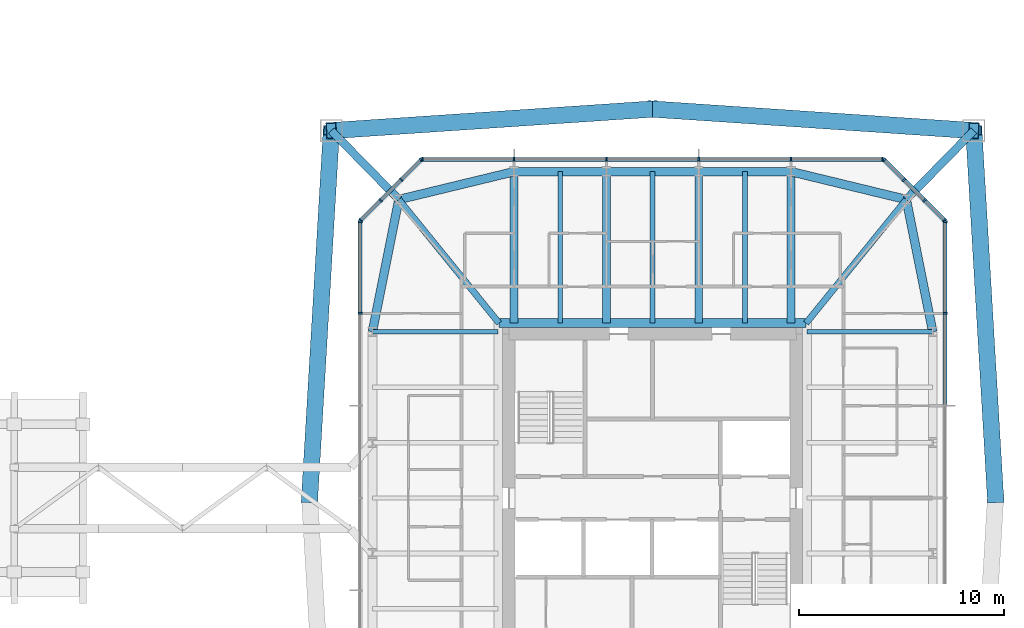
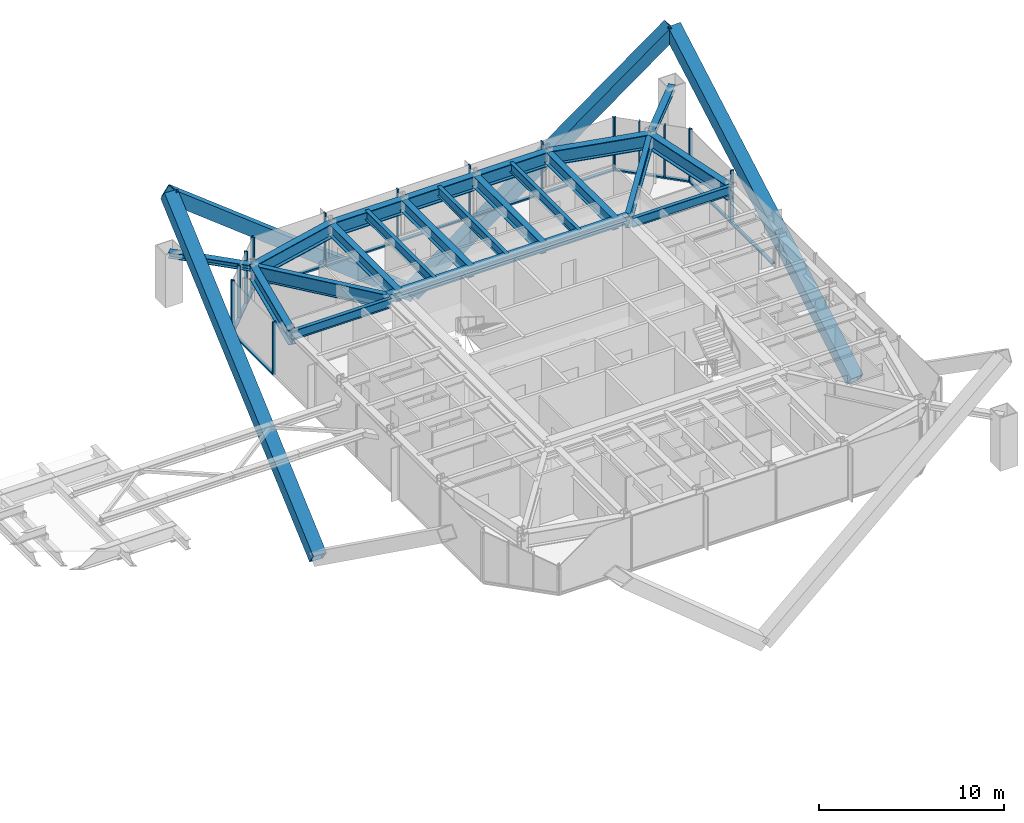
# One storey, part 11 of 27: 38 members, 19 beams, 5 elements without a shape of their own.
"""IFC4 building model written with IfcOpenShell, lengths in metres."""

from ifc_helpers import new_model, si_unit, direction, frame, origin, origin_2d, place, context, subcontext, project, spatial, rectangle, hollow_rectangle, i_section, extrude, material, material_profile, profile_set, type_object, element, aggregate, save


model = new_model("IFC4")

# Units and contexts
model_context = context("Model", 3, precision=1e-05, world=origin(), true_north=direction((0.0, 1.0)))
body_context = subcontext(model_context, "Body", "Model", "MODEL_VIEW")
ifc_project = project(units=[si_unit("LENGTHUNIT", "METRE"), si_unit("AREAUNIT", "SQUARE_METRE"), si_unit("VOLUMEUNIT", "CUBIC_METRE"), si_unit("PLANEANGLEUNIT", "RADIAN"), si_unit("MASSUNIT", "GRAM", prefix="KILO")], contexts=[model_context])

# Site, building, storey
site_placement = place(None, origin())
site = spatial("IfcSite", under=ifc_project, at=site_placement, CompositionType="ELEMENT")
building_placement = place(site_placement, origin())
building = spatial("IfcBuilding", under=site, at=building_placement, Name="Iwan Alto Co-Living Towers", CompositionType="ELEMENT")
storey_placement = place(building_placement, frame((0.0, 0.0, 94.5)))
storey = spatial("IfcBuildingStorey", under=building, at=storey_placement, Name="L25", CompositionType="ELEMENT", Elevation=94.5)

# Curtain wall, members
ifc_material_1 = material(Name="Bronze aluminium unitised frame", Category="aluminium")
curtain_wall_type_1 = type_object("IfcCurtainWallType", Name="CURTAIN WALL CW-C", PredefinedType="NOTDEFINED", material=ifc_material_1)
curtain_wall_1_placement = place(storey_placement, origin())
curtain_wall_1 = element("IfcCurtainWall", 1, at=curtain_wall_1_placement, inside=storey, type_object=curtain_wall_type_1, Name="T2 curtain wall E L25", PredefinedType="NOTDEFINED")
ifc_material_2 = material(Name="Aluminium 6063-T6 bronze anodised", Category="aluminium")
ifc_material_profile_1 = material_profile(ifc_material_2, rectangle(XDim=0.199951171875, YDim=0.080078125, at=origin_2d()), Name="AL 80X200")
ifc_profile_set_1 = profile_set([ifc_material_profile_1], Name="Aluminium 6063-T6 bronze anodised")
member_type_1 = type_object("IfcMemberType", Name="CW-C MULLION 80X200", PredefinedType="MULLION", material=ifc_profile_set_1)
member_1_placement = place(storey_placement, frame((77.25, 9.0, 0.0), z_axis=(0.0, 0.0, 1.0), x_axis=(-1.0, 0.0, 0.0)))
member_1 = element("IfcMember", 2, at=member_1_placement, type_object=member_type_1, Name="CW-C mullion 6", PredefinedType="MULLION", context=body_context, shape_type="SweptSolid", body=[
    extrude(rectangle(XDim=0.199951171875, YDim=0.080078125, at=origin_2d()), origin(), (0.0, 0.0, 1.0), 3.5),
])
member_2_placement = place(storey_placement, frame((77.25, 13.4599609375, 0.0), z_axis=(0.0, 0.0, 1.0), x_axis=(-1.0, 0.0, 0.0)))
member_2 = element("IfcMember", 3, at=member_2_placement, type_object=member_type_1, Name="CW-C mullion 7", PredefinedType="MULLION", context=body_context, shape_type="SweptSolid", body=[
    extrude(rectangle(XDim=0.199951171875, YDim=0.080078125, at=origin_2d()), origin(), (0.0, 0.0, 1.0), 3.5),
])

curtain_wall_2_placement = place(storey_placement, origin())
curtain_wall_2 = element("IfcCurtainWall", 4, at=curtain_wall_2_placement, inside=storey, type_object=curtain_wall_type_1, Name="T2 curtain wall N L25", PredefinedType="NOTDEFINED")
member_3_placement = place(storey_placement, frame((74.2099609375, 16.5, 0.0), z_axis=(0.0, 0.0, 1.0), x_axis=(0.0, -1.0, 0.0)))
member_3 = element("IfcMember", 5, at=member_3_placement, type_object=member_type_1, Name="CW-C mullion 1", PredefinedType="MULLION", context=body_context, shape_type="SweptSolid", body=[
    extrude(rectangle(XDim=0.199951171875, YDim=0.080078125, at=origin_2d()), origin(), (0.0, 0.0, 1.0), 3.5),
])
member_4_placement = place(storey_placement, frame((69.75, 16.5, 0.0), z_axis=(0.0, 0.0, 1.0), x_axis=(0.0, -1.0, 0.0)))
member_4 = element("IfcMember", 6, at=member_4_placement, type_object=member_type_1, Name="CW-C mullion 2", PredefinedType="MULLION", context=body_context, shape_type="SweptSolid", body=[
    extrude(rectangle(XDim=0.199951171875, YDim=0.080078125, at=origin_2d()), origin(), (0.0, 0.0, 1.0), 3.5),
])
member_5_placement = place(storey_placement, frame((65.25, 16.5, 0.0), z_axis=(0.0, 0.0, 1.0), x_axis=(0.0, -1.0, 0.0)))
member_5 = element("IfcMember", 7, at=member_5_placement, type_object=member_type_1, Name="CW-C mullion 3", PredefinedType="MULLION", context=body_context, shape_type="SweptSolid", body=[
    extrude(rectangle(XDim=0.199951171875, YDim=0.080078125, at=origin_2d()), origin(), (0.0, 0.0, 1.0), 3.5),
])
member_6_placement = place(storey_placement, frame((60.75, 16.5, 0.0), z_axis=(0.0, 0.0, 1.0), x_axis=(0.0, -1.0, 0.0)))
member_6 = element("IfcMember", 8, at=member_6_placement, type_object=member_type_1, Name="CW-C mullion 4", PredefinedType="MULLION", context=body_context, shape_type="SweptSolid", body=[
    extrude(rectangle(XDim=0.199951171875, YDim=0.080078125, at=origin_2d()), origin(), (0.0, 0.0, 1.0), 3.5),
])
member_7_placement = place(storey_placement, frame((56.25, 16.5, 0.0), z_axis=(0.0, 0.0, 1.0), x_axis=(0.0, -1.0, 0.0)))
member_7 = element("IfcMember", 9, at=member_7_placement, type_object=member_type_1, Name="CW-C mullion 5", PredefinedType="MULLION", context=body_context, shape_type="SweptSolid", body=[
    extrude(rectangle(XDim=0.199951171875, YDim=0.080078125, at=origin_2d()), origin(), (0.0, 0.0, 1.0), 3.5),
])
member_8_placement = place(storey_placement, frame((51.7900390625, 16.5, 0.0), z_axis=(0.0, 0.0, 1.0), x_axis=(0.0, -1.0, 0.0)))
member_8 = element("IfcMember", 10, at=member_8_placement, type_object=member_type_1, Name="CW-C mullion 6", PredefinedType="MULLION", context=body_context, shape_type="SweptSolid", body=[
    extrude(rectangle(XDim=0.199951171875, YDim=0.080078125, at=origin_2d()), origin(), (0.0, 0.0, 1.0), 3.5),
])

curtain_wall_3_placement = place(storey_placement, origin())
curtain_wall_3 = element("IfcCurtainWall", 11, at=curtain_wall_3_placement, inside=storey, type_object=curtain_wall_type_1, Name="T2 curtain wall W L25", PredefinedType="NOTDEFINED")
member_9_placement = place(storey_placement, frame((48.75, 13.4599609375, 0.0), z_axis=(0.0, 0.0, 1.0), x_axis=(1.0, 0.0, 0.0)))
member_9 = element("IfcMember", 12, at=member_9_placement, type_object=member_type_1, Name="CW-C mullion 1", PredefinedType="MULLION", context=body_context, shape_type="SweptSolid", body=[
    extrude(rectangle(XDim=0.199951171875, YDim=0.080078125, at=origin_2d()), origin(), (0.0, 0.0, 1.0), 3.5),
])
member_10_placement = place(storey_placement, frame((48.75, 9.0, 0.0), z_axis=(0.0, 0.0, 1.0), x_axis=(1.0, 0.0, 0.0)))
member_10 = element("IfcMember", 13, at=member_10_placement, type_object=member_type_1, Name="CW-C mullion 2", PredefinedType="MULLION", context=body_context, shape_type="SweptSolid", body=[
    extrude(rectangle(XDim=0.199951171875, YDim=0.080078125, at=origin_2d()), origin(), (0.0, 0.0, 1.0), 3.5),
])

# Member
ifc_material_3 = material(Name="Aluminium 6063-T6 bronze anodised", Category="aluminium")
ifc_material_profile_2 = material_profile(ifc_material_3, rectangle(XDim=0.199951171875, YDim=0.10009765625, at=origin_2d()), Name="AL 200X100")
ifc_profile_set_2 = profile_set([ifc_material_profile_2], Name="Aluminium 6063-T6 bronze anodised")
member_type_2 = type_object("IfcMemberType", Name="CW-C TRANSOM 200X100", PredefinedType="USERDEFINED", material=ifc_profile_set_2)
member_11_placement = place(storey_placement, frame((77.25, 4.5400390625, 0.050048828125), z_axis=(0.0, 1.0, 0.0), x_axis=(-1.0, 0.0, 0.0)))
member_11 = element("IfcMember", 14, at=member_11_placement, type_object=member_type_2, Name="CW-C transom 5.1", ObjectType="TRANSOM", PredefinedType="USERDEFINED", context=body_context, shape_type="SweptSolid", body=[
    extrude(rectangle(XDim=0.199951171875, YDim=0.10009765625, at=origin_2d()), origin(), (0.0, 0.0, 1.0), 4.419921875),
])

member_12_placement = place(storey_placement, frame((77.25, 9.0400390625, 0.050048828125), z_axis=(0.0, 1.0, 0.0), x_axis=(-1.0, 0.0, 0.0)))
member_12 = element("IfcMember", 15, at=member_12_placement, type_object=member_type_2, Name="CW-C transom 6.1", ObjectType="TRANSOM", PredefinedType="USERDEFINED", context=body_context, shape_type="SweptSolid", body=[
    extrude(rectangle(XDim=0.199951171875, YDim=0.10009765625, at=origin_2d()), origin(), (0.0, 0.0, 1.0), 4.3798828125),
])

aggregate(curtain_wall_1, [member_1, member_2, member_11, member_12])

member_13_placement = place(storey_placement, frame((74.169921875, 16.5, 0.050048828125), z_axis=(-1.0, 0.0, 0.0), x_axis=(0.0, -1.0, 0.0)))
member_13 = element("IfcMember", 16, at=member_13_placement, type_object=member_type_2, Name="CW-C transom 1.1", ObjectType="TRANSOM", PredefinedType="USERDEFINED", context=body_context, shape_type="SweptSolid", body=[
    extrude(rectangle(XDim=0.199951171875, YDim=0.10009765625, at=origin_2d()), origin(), (0.0, 0.0, 1.0), 4.3798828125),
])

member_14_placement = place(storey_placement, frame((69.7099609375, 16.5, 0.050048828125), z_axis=(-1.0, 0.0, 0.0), x_axis=(0.0, -1.0, 0.0)))
member_14 = element("IfcMember", 17, at=member_14_placement, type_object=member_type_2, Name="CW-C transom 2.1", ObjectType="TRANSOM", PredefinedType="USERDEFINED", context=body_context, shape_type="SweptSolid", body=[
    extrude(rectangle(XDim=0.199951171875, YDim=0.10009765625, at=origin_2d()), origin(), (0.0, 0.0, 1.0), 4.419921875),
])

member_15_placement = place(storey_placement, frame((65.2099609375, 16.5, 0.050048828125), z_axis=(-1.0, 0.0, 0.0), x_axis=(0.0, -1.0, 0.0)))
member_15 = element("IfcMember", 18, at=member_15_placement, type_object=member_type_2, Name="CW-C transom 3.1", ObjectType="TRANSOM", PredefinedType="USERDEFINED", context=body_context, shape_type="SweptSolid", body=[
    extrude(rectangle(XDim=0.199951171875, YDim=0.10009765625, at=origin_2d()), origin(), (0.0, 0.0, 1.0), 4.419921875),
])

member_16_placement = place(storey_placement, frame((60.7099609375, 16.5, 0.050048828125), z_axis=(-1.0, 0.0, 0.0), x_axis=(0.0, -1.0, 0.0)))
member_16 = element("IfcMember", 19, at=member_16_placement, type_object=member_type_2, Name="CW-C transom 4.1", ObjectType="TRANSOM", PredefinedType="USERDEFINED", context=body_context, shape_type="SweptSolid", body=[
    extrude(rectangle(XDim=0.199951171875, YDim=0.10009765625, at=origin_2d()), origin(), (0.0, 0.0, 1.0), 4.419921875),
])

member_17_placement = place(storey_placement, frame((56.2099609375, 16.5, 0.050048828125), z_axis=(-1.0, 0.0, 0.0), x_axis=(0.0, -1.0, 0.0)))
member_17 = element("IfcMember", 20, at=member_17_placement, type_object=member_type_2, Name="CW-C transom 5.1", ObjectType="TRANSOM", PredefinedType="USERDEFINED", context=body_context, shape_type="SweptSolid", body=[
    extrude(rectangle(XDim=0.199951171875, YDim=0.10009765625, at=origin_2d()), origin(), (0.0, 0.0, 1.0), 4.3798828125),
])

aggregate(curtain_wall_2, [member_3, member_4, member_5, member_6, member_7, member_8, member_13, member_14, member_15, member_16, member_17])

member_18_placement = place(storey_placement, frame((48.75, 13.419921875, 0.050048828125), z_axis=(0.0, -1.0, 0.0), x_axis=(1.0, 0.0, 0.0)))
member_18 = element("IfcMember", 21, at=member_18_placement, type_object=member_type_2, Name="CW-C transom 1.1", ObjectType="TRANSOM", PredefinedType="USERDEFINED", context=body_context, shape_type="SweptSolid", body=[
    extrude(rectangle(XDim=0.199951171875, YDim=0.10009765625, at=origin_2d()), origin(), (0.0, 0.0, 1.0), 4.3798828125),
])

aggregate(curtain_wall_3, [member_9, member_10, member_18])

# Curtain wall, members
ifc_material_4 = material(Name="Bronze aluminium unitised frame", Category="aluminium")
curtain_wall_type_2 = type_object("IfcCurtainWallType", Name="CURTAIN WALL CW-D", PredefinedType="NOTDEFINED", material=ifc_material_4)
curtain_wall_4_placement = place(storey_placement, origin())
curtain_wall_4 = element("IfcCurtainWall", 22, at=curtain_wall_4_placement, inside=storey, type_object=curtain_wall_type_2, Name="T2 chamfer curtain wall NE L25", PredefinedType="NOTDEFINED")
ifc_material_5 = material(Name="Aluminium 6063-T6 bronze anodised", Category="aluminium")
ifc_material_profile_3 = material_profile(ifc_material_5, rectangle(XDim=0.199951171875, YDim=0.080078125, at=origin_2d()), Name="AL 80X200")
ifc_profile_set_3 = profile_set([ifc_material_profile_3], Name="Aluminium 6063-T6 bronze anodised")
member_type_3 = type_object("IfcMemberType", Name="CW-D MULLION 80X200", PredefinedType="MULLION", material=ifc_profile_set_3)
member_19_placement = place(storey_placement, frame((77.2216796875, 13.5283203125, 0.0), z_axis=(0.0, 0.0, 1.0), x_axis=(-0.707106781187, -0.707106781187, 0.0)))
member_19 = element("IfcMember", 23, at=member_19_placement, type_object=member_type_3, Name="CW-D mullion 1", PredefinedType="MULLION", context=body_context, shape_type="SweptSolid", body=[
    extrude(rectangle(XDim=0.199951171875, YDim=0.080078125, at=origin_2d()), origin(), (0.0, 0.0, 1.0), 3.5),
])
member_20_placement = place(storey_placement, frame((76.25, 14.5, 0.0), z_axis=(0.0, 0.0, 1.0), x_axis=(-0.707106781187, -0.707106781187, 0.0)))
member_20 = element("IfcMember", 24, at=member_20_placement, type_object=member_type_3, Name="CW-D mullion 2", PredefinedType="MULLION", context=body_context, shape_type="SweptSolid", body=[
    extrude(rectangle(XDim=0.199951171875, YDim=0.080078125, at=origin_2d()), origin(), (0.0, 0.0, 1.0), 3.5),
])
member_21_placement = place(storey_placement, frame((75.25, 15.5, 0.0), z_axis=(0.0, 0.0, 1.0), x_axis=(-0.707106781187, -0.707106781187, 0.0)))
member_21 = element("IfcMember", 25, at=member_21_placement, type_object=member_type_3, Name="CW-D mullion 3", PredefinedType="MULLION", context=body_context, shape_type="SweptSolid", body=[
    extrude(rectangle(XDim=0.199951171875, YDim=0.080078125, at=origin_2d()), origin(), (0.0, 0.0, 1.0), 3.5),
])
member_22_placement = place(storey_placement, frame((74.2783203125, 16.4716796875, 0.0), z_axis=(0.0, 0.0, 1.0), x_axis=(-0.707106781187, -0.707106781187, 0.0)))
member_22 = element("IfcMember", 26, at=member_22_placement, type_object=member_type_3, Name="CW-D mullion 4", PredefinedType="MULLION", context=body_context, shape_type="SweptSolid", body=[
    extrude(rectangle(XDim=0.199951171875, YDim=0.080078125, at=origin_2d()), origin(), (0.0, 0.0, 1.0), 3.5),
])

curtain_wall_5_placement = place(storey_placement, origin())
curtain_wall_5 = element("IfcCurtainWall", 27, at=curtain_wall_5_placement, inside=storey, type_object=curtain_wall_type_2, Name="T2 chamfer curtain wall NW L25", PredefinedType="NOTDEFINED")
member_23_placement = place(storey_placement, frame((51.7216796875, 16.4716796875, 0.0), z_axis=(0.0, 0.0, 1.0), x_axis=(0.707106781187, -0.707106781187, 0.0)))
member_23 = element("IfcMember", 28, at=member_23_placement, type_object=member_type_3, Name="CW-D mullion 1", PredefinedType="MULLION", context=body_context, shape_type="SweptSolid", body=[
    extrude(rectangle(XDim=0.199951171875, YDim=0.080078125, at=origin_2d()), origin(), (0.0, 0.0, 1.0), 3.5),
])
member_24_placement = place(storey_placement, frame((50.75, 15.5, 0.0), z_axis=(0.0, 0.0, 1.0), x_axis=(0.707106781187, -0.707106781187, 0.0)))
member_24 = element("IfcMember", 29, at=member_24_placement, type_object=member_type_3, Name="CW-D mullion 2", PredefinedType="MULLION", context=body_context, shape_type="SweptSolid", body=[
    extrude(rectangle(XDim=0.199951171875, YDim=0.080078125, at=origin_2d()), origin(), (0.0, 0.0, 1.0), 3.5),
])
member_25_placement = place(storey_placement, frame((49.75, 14.5, 0.0), z_axis=(0.0, 0.0, 1.0), x_axis=(0.707106781187, -0.707106781187, 0.0)))
member_25 = element("IfcMember", 30, at=member_25_placement, type_object=member_type_3, Name="CW-D mullion 3", PredefinedType="MULLION", context=body_context, shape_type="SweptSolid", body=[
    extrude(rectangle(XDim=0.199951171875, YDim=0.080078125, at=origin_2d()), origin(), (0.0, 0.0, 1.0), 3.5),
])
member_26_placement = place(storey_placement, frame((48.7783203125, 13.5283203125, 0.0), z_axis=(0.0, 0.0, 1.0), x_axis=(0.707106781187, -0.707106781187, 0.0)))
member_26 = element("IfcMember", 31, at=member_26_placement, type_object=member_type_3, Name="CW-D mullion 4", PredefinedType="MULLION", context=body_context, shape_type="SweptSolid", body=[
    extrude(rectangle(XDim=0.199951171875, YDim=0.080078125, at=origin_2d()), origin(), (0.0, 0.0, 1.0), 3.5),
])

# Member
ifc_material_6 = material(Name="Aluminium 6063-T6 bronze anodised", Category="aluminium")
ifc_material_profile_4 = material_profile(ifc_material_6, rectangle(XDim=0.199951171875, YDim=0.10009765625, at=origin_2d()), Name="AL 200X100")
ifc_profile_set_4 = profile_set([ifc_material_profile_4], Name="Aluminium 6063-T6 bronze anodised")
member_type_4 = type_object("IfcMemberType", Name="CW-D TRANSOM 200X100", PredefinedType="USERDEFINED", material=ifc_profile_set_4)
member_27_placement = place(storey_placement, frame((77.193359375, 13.556640625, 0.050048828125), z_axis=(-0.707106781187, 0.707106781187, 0.0), x_axis=(-0.707106781187, -0.707106781187, 0.0)))
member_27 = element("IfcMember", 32, at=member_27_placement, type_object=member_type_4, Name="CW-D transom 1.1", ObjectType="TRANSOM", PredefinedType="USERDEFINED", context=body_context, shape_type="SweptSolid", body=[
    extrude(rectangle(XDim=0.199951171875, YDim=0.10009765625, at=origin_2d()), origin(), (0.0, 0.0, 1.0), 1.2939453125),
])

member_28_placement = place(storey_placement, frame((76.2216796875, 14.5283203125, 0.050048828125), z_axis=(-0.707106781187, 0.707106781187, 0.0), x_axis=(-0.707106781187, -0.707106781187, 0.0)))
member_28 = element("IfcMember", 33, at=member_28_placement, type_object=member_type_4, Name="CW-D transom 2.1", ObjectType="TRANSOM", PredefinedType="USERDEFINED", context=body_context, shape_type="SweptSolid", body=[
    extrude(rectangle(XDim=0.199951171875, YDim=0.10009765625, at=origin_2d()), origin(), (0.0, 0.0, 1.0), 1.334228515625),
])

member_29_placement = place(storey_placement, frame((75.2216796875, 15.5283203125, 0.050048828125), z_axis=(-0.707106781187, 0.707106781187, 0.0), x_axis=(-0.707106781187, -0.707106781187, 0.0)))
member_29 = element("IfcMember", 34, at=member_29_placement, type_object=member_type_4, Name="CW-D transom 3.1", ObjectType="TRANSOM", PredefinedType="USERDEFINED", context=body_context, shape_type="SweptSolid", body=[
    extrude(rectangle(XDim=0.199951171875, YDim=0.10009765625, at=origin_2d()), origin(), (0.0, 0.0, 1.0), 1.2939453125),
])

aggregate(curtain_wall_4, [member_19, member_20, member_21, member_22, member_27, member_28, member_29])

member_30_placement = place(storey_placement, frame((51.693359375, 16.443359375, 0.050048828125), z_axis=(-0.707106781187, -0.707106781187, 0.0), x_axis=(0.707106781187, -0.707106781187, 0.0)))
member_30 = element("IfcMember", 35, at=member_30_placement, type_object=member_type_4, Name="CW-D transom 1.1", ObjectType="TRANSOM", PredefinedType="USERDEFINED", context=body_context, shape_type="SweptSolid", body=[
    extrude(rectangle(XDim=0.199951171875, YDim=0.10009765625, at=origin_2d()), origin(), (0.0, 0.0, 1.0), 1.2939453125),
])

member_31_placement = place(storey_placement, frame((50.7216796875, 15.4716796875, 0.050048828125), z_axis=(-0.707106781187, -0.707106781187, 0.0), x_axis=(0.707106781187, -0.707106781187, 0.0)))
member_31 = element("IfcMember", 36, at=member_31_placement, type_object=member_type_4, Name="CW-D transom 2.1", ObjectType="TRANSOM", PredefinedType="USERDEFINED", context=body_context, shape_type="SweptSolid", body=[
    extrude(rectangle(XDim=0.199951171875, YDim=0.10009765625, at=origin_2d()), origin(), (0.0, 0.0, 1.0), 1.334228515625),
])

member_32_placement = place(storey_placement, frame((49.7216796875, 14.4716796875, 0.050048828125), z_axis=(-0.707106781187, -0.707106781187, 0.0), x_axis=(0.707106781187, -0.707106781187, 0.0)))
member_32 = element("IfcMember", 37, at=member_32_placement, type_object=member_type_4, Name="CW-D transom 3.1", ObjectType="TRANSOM", PredefinedType="USERDEFINED", context=body_context, shape_type="SweptSolid", body=[
    extrude(rectangle(XDim=0.199951171875, YDim=0.10009765625, at=origin_2d()), origin(), (0.0, 0.0, 1.0), 1.2939453125),
])

aggregate(curtain_wall_5, [member_23, member_24, member_25, member_26, member_30, member_31, member_32])

# Beams
ifc_material_7 = material(Name="Steel ASTM A992 Gr 50", Category="steel")
ifc_material_profile_5 = material_profile(ifc_material_7, i_section(OverallWidth=0.436767578125, OverallDepth=0.51318359375, WebThickness=0.060546875, FlangeThickness=0.096923828125, at=origin_2d()), Name="W14X550")
ifc_profile_set_5 = profile_set([ifc_material_profile_5], Name="Steel ASTM A992 Gr 50")
beam_type_1 = type_object("IfcBeamType", Name="T2 CORE LEDGER BEAM W14X550", PredefinedType="BEAM", material=ifc_profile_set_5)
beam_1_placement = place(storey_placement, frame((70.47705078125, 8.5185546875, 3.013427734375), z_axis=(-1.0, 0.0, 0.0), x_axis=(0.0, -1.0, 0.0)))
element("IfcBeam", 38, at=beam_1_placement, inside=storey, type_object=beam_type_1, Name="T2 core ledger beam N L26", PredefinedType="BEAM", context=body_context, shape_type="SweptSolid", body=[
    extrude(i_section(OverallWidth=0.436767578125, OverallDepth=0.51318359375, WebThickness=0.060546875, FlangeThickness=0.096923828125, at=origin_2d()), origin(), (0.0, 0.0, 1.0), 14.9541015625),
])
ifc_material_8 = material(Name="Steel ASTM A992 Gr 50", Category="steel")
ifc_material_profile_6 = material_profile(ifc_material_8, i_section(OverallWidth=0.307373046875, OverallDepth=0.927001953125, WebThickness=0.01953125, FlangeThickness=0.031982421875, at=origin_2d()), Name="W36X194")
ifc_profile_set_6 = profile_set([ifc_material_profile_6], Name="Steel ASTM A992 Gr 50")
beam_type_2 = type_object("IfcBeamType", Name="T2 CORNER GIRDER W36X194", PredefinedType="BEAM", material=ifc_profile_set_6)
for number, where, z_axis, x_axis, name in (
    (39, (75.361328125, 14.542724609375, 2.806396484375), (-0.629787584927, -0.776767402683, 0.0), (0.776767402683, -0.629787584927, 0.0), "T2 corner girder CNE L26"),
    (40, (50.638671875, 14.542724609375, 2.806396484375), (0.629787584927, -0.776767402683, 0.0), (0.776767402683, 0.629787584927, 0.0), "T2 corner girder CNW L26"),
):
    element("IfcBeam", number, at=place(storey_placement, frame(where, z_axis=z_axis, x_axis=x_axis)), inside=storey, type_object=beam_type_2, Name=name, PredefinedType="BEAM", context=body_context, shape_type="SweptSolid", body=[
        extrude(i_section(OverallWidth=0.307373046875, OverallDepth=0.927001953125, WebThickness=0.01953125, FlangeThickness=0.031982421875, at=origin_2d()), origin(), (0.0, 0.0, 1.0), 7.75537109375),
    ])
ifc_material_9 = material(Name="Steel ASTM A992 Gr 50", Category="steel")
ifc_material_profile_7 = material_profile(ifc_material_9, i_section(OverallWidth=0.424072265625, OverallDepth=0.947509765625, WebThickness=0.02392578125, FlangeThickness=0.042724609375, at=origin_2d()), Name="W36X302")
ifc_profile_set_7 = profile_set([ifc_material_profile_7], Name="Steel ASTM A992 Gr 50")
beam_type_3 = type_object("IfcBeamType", Name="T2 EDGE BEAM W36X302", PredefinedType="BEAM", material=ifc_profile_set_7)
beam_2_placement = place(storey_placement, frame((76.64990234375, 8.10009765625, 2.79638671875), z_axis=(-0.196123281025, 0.980579246487, 0.0), x_axis=(-0.980579246487, -0.196123281025, 0.0)))
element("IfcBeam", 41, at=beam_2_placement, inside=storey, type_object=beam_type_3, Name="T2 edge beam E4 L26", PredefinedType="BEAM", context=body_context, shape_type="SweptSolid", body=[
    extrude(i_section(OverallWidth=0.424072265625, OverallDepth=0.947509765625, WebThickness=0.02392578125, FlangeThickness=0.042724609375, at=origin_2d()), origin(), (0.0, 0.0, 1.0), 6.5703125),
])
beam_3_placement = place(storey_placement, frame((75.361328125, 14.542724609375, 2.79638671875), z_axis=(-0.971974673138, 0.235085590323, 0.0), x_axis=(-0.235085590323, -0.971974673138, 0.0)))
element("IfcBeam", 42, at=beam_3_placement, inside=storey, type_object=beam_type_3, Name="T2 edge beam CNE L26", PredefinedType="BEAM", context=body_context, shape_type="SweptSolid", body=[
    extrude(i_section(OverallWidth=0.424072265625, OverallDepth=0.947509765625, WebThickness=0.02392578125, FlangeThickness=0.042724609375, at=origin_2d()), origin(), (0.0, 0.0, 1.0), 5.773193359375),
])
for number, where, z_axis, x_axis, name in (
    (43, (69.75, 15.89990234375, 2.79638671875), (-1.0, 0.0, 0.0), (0.0, -1.0, 0.0), "T2 edge beam N1 L26"),
    (44, (65.25, 15.89990234375, 2.79638671875), (-1.0, 0.0, 0.0), (0.0, -1.0, 0.0), "T2 edge beam N2 L26"),
    (45, (60.75, 15.89990234375, 2.79638671875), (-1.0, 0.0, 0.0), (0.0, -1.0, 0.0), "T2 edge beam N3 L26"),
):
    element("IfcBeam", number, at=place(storey_placement, frame(where, z_axis=z_axis, x_axis=x_axis)), inside=storey, type_object=beam_type_3, Name=name, PredefinedType="BEAM", context=body_context, shape_type="SweptSolid", body=[
        extrude(i_section(OverallWidth=0.424072265625, OverallDepth=0.947509765625, WebThickness=0.02392578125, FlangeThickness=0.042724609375, at=origin_2d()), origin(), (0.0, 0.0, 1.0), 4.5),
    ])
beam_4_placement = place(storey_placement, frame((56.25, 15.89990234375, 2.79638671875), z_axis=(-0.971974673138, -0.235085590323, 0.0), x_axis=(0.235085590323, -0.971974673138, 0.0)))
element("IfcBeam", 46, at=beam_4_placement, inside=storey, type_object=beam_type_3, Name="T2 edge beam N4 L26", PredefinedType="BEAM", context=body_context, shape_type="SweptSolid", body=[
    extrude(i_section(OverallWidth=0.424072265625, OverallDepth=0.947509765625, WebThickness=0.02392578125, FlangeThickness=0.042724609375, at=origin_2d()), origin(), (0.0, 0.0, 1.0), 5.773193359375),
])
beam_5_placement = place(storey_placement, frame((50.638671875, 14.542724609375, 2.79638671875), z_axis=(-0.196123281025, -0.980579246487, 0.0), x_axis=(0.980579246487, -0.196123281025, 0.0)))
element("IfcBeam", 47, at=beam_5_placement, inside=storey, type_object=beam_type_3, Name="T2 edge beam CNW L26", PredefinedType="BEAM", context=body_context, shape_type="SweptSolid", body=[
    extrude(i_section(OverallWidth=0.424072265625, OverallDepth=0.947509765625, WebThickness=0.02392578125, FlangeThickness=0.042724609375, at=origin_2d()), origin(), (0.0, 0.0, 1.0), 6.5703125),
])

# Members
ifc_material_10 = material(Name="Steel ASTM A572 Gr 50", Category="steel")
ifc_material_profile_8 = material_profile(ifc_material_10, hollow_rectangle(XDim=0.800048828125, YDim=0.800048828125, WallThickness=0.050048828125, at=origin_2d()), Name="BOX 800X800X50")
ifc_profile_set_8 = profile_set([ifc_material_profile_8], Name="Steel ASTM A572 Gr 50")
member_type_5 = type_object("IfcMemberType", Name="T2 MEGA BRACE BOX 800X800X50", PredefinedType="BRACE", material=ifc_profile_set_8)
member_33_placement = place(storey_placement, frame((79.70849609375, 0.0, -5.70166015625), z_axis=(-0.048174700952, 0.814592417988, 0.578029749014), x_axis=(-0.998255825444, -0.059036488436, 0.0)))
element("IfcMember", 48, at=member_33_placement, inside=storey, type_object=member_type_5, Name="T2 mega brace Z2A E 1 upper", PredefinedType="BRACE", context=body_context, shape_type="SweptSolid", body=[
    extrude(hollow_rectangle(XDim=0.800048828125, YDim=0.800048828125, WallThickness=0.050048828125, at=origin_2d()), origin(), (0.0, 0.0, 1.0), 21.97412109375),
])
for number, where, z_axis, x_axis, name in (
    (49, (63.0, 18.949462890625, -5.5947265625), (-0.777987909943, -0.052175751534, 0.62610901841), (0.066914677494, -0.997758701258, 0.0), "T2 mega brace Z2A N 1 upper"),
    (50, (63.0, 18.949462890625, -5.5947265625), (0.777987909943, -0.052175751534, 0.62610901841), (0.066914677494, 0.997758701258, 0.0), "T2 mega brace Z2A N 2 upper"),
):
    element("IfcMember", number, at=place(storey_placement, frame(where, z_axis=z_axis, x_axis=x_axis)), inside=storey, type_object=member_type_5, Name=name, PredefinedType="BRACE", context=body_context, shape_type="SweptSolid", body=[
        extrude(hollow_rectangle(XDim=0.800048828125, YDim=0.800048828125, WallThickness=0.050048828125, at=origin_2d()), origin(), (0.0, 0.0, 1.0), 20.115966796875),
    ])
member_34_placement = place(storey_placement, frame((46.29150390625, 0.0, -5.70166015625), z_axis=(0.048174700952, 0.814592417988, 0.578029749014), x_axis=(-0.998255825444, 0.059036488436, 0.0)))
element("IfcMember", 51, at=member_34_placement, inside=storey, type_object=member_type_5, Name="T2 mega brace Z2A W 2 upper", PredefinedType="BRACE", context=body_context, shape_type="SweptSolid", body=[
    extrude(hollow_rectangle(XDim=0.800048828125, YDim=0.800048828125, WallThickness=0.050048828125, at=origin_2d()), origin(), (0.0, 0.0, 1.0), 21.97412109375),
])
ifc_material_11 = material(Name="Steel ASTM A992 Gr 50", Category="steel")
ifc_material_profile_9 = material_profile(ifc_material_11, i_section(OverallWidth=0.393798828125, OverallDepth=0.3759765625, WebThickness=0.017333984375, FlangeThickness=0.027587890625, at=origin_2d()), Name="W14X145")
ifc_profile_set_9 = profile_set([ifc_material_profile_9], Name="Steel ASTM A992 Gr 50")
member_type_6 = type_object("IfcMemberType", Name="T2 MEGA COLUMN FLOOR TIE W14X145", PredefinedType="STRUT", material=ifc_profile_set_9)
for number, where, z_axis, x_axis, name in (
    (52, (78.64990234375, 17.89990234375, 3.08203125), (-0.699770096147, -0.714368121166, 0.0), (0.714368121166, -0.699770096147, 0.0), "T2 mega column floor tie NE L26"),
    (53, (47.35009765625, 17.89990234375, 3.08203125), (0.699770096147, -0.714368121166, 0.0), (0.714368121166, 0.699770096147, 0.0), "T2 mega column floor tie NW L26"),
):
    element("IfcMember", number, at=place(storey_placement, frame(where, z_axis=z_axis, x_axis=x_axis)), inside=storey, type_object=member_type_6, Name=name, PredefinedType="STRUT", context=body_context, shape_type="SweptSolid", body=[
        extrude(i_section(OverallWidth=0.393798828125, OverallDepth=0.3759765625, WebThickness=0.017333984375, FlangeThickness=0.027587890625, at=origin_2d()), origin(), (0.0, 0.0, 1.0), 4.699462890625),
    ])

# Beams
ifc_material_12 = material(Name="Steel ASTM A992 Gr 50", Category="steel")
ifc_material_profile_10 = material_profile(ifc_material_12, i_section(OverallWidth=0.228271484375, OverallDepth=0.607177734375, WebThickness=0.01123046875, FlangeThickness=0.017333984375, at=origin_2d()), Name="W24X76")
ifc_profile_set_10 = profile_set([ifc_material_profile_10], Name="Steel ASTM A992 Gr 50")
beam_type_4 = type_object("IfcBeamType", Name="T2 RADIAL BEAM W24X76", PredefinedType="BEAM", material=ifc_profile_set_10)
for number, where, z_axis, x_axis, name in (
    (54, (76.64990234375, 8.10009765625, 2.966552734375), (-1.0, 0.0, 0.0), (0.0, -1.0, 0.0), "T2 radial beam E4 L26"),
    (55, (49.35009765625, 8.10009765625, 2.966552734375), (1.0, 0.0, 0.0), (0.0, 1.0, 0.0), "T2 radial beam W1 L26"),
):
    element("IfcBeam", number, at=place(storey_placement, frame(where, z_axis=z_axis, x_axis=x_axis)), inside=storey, type_object=beam_type_4, Name=name, PredefinedType="BEAM", context=body_context, shape_type="SweptSolid", body=[
        extrude(i_section(OverallWidth=0.228271484375, OverallDepth=0.607177734375, WebThickness=0.01123046875, FlangeThickness=0.017333984375, at=origin_2d()), origin(), (0.0, 0.0, 1.0), 6.13134765625),
    ])
ifc_material_13 = material(Name="Steel ASTM A992 Gr 50", Category="steel")
ifc_material_profile_11 = material_profile(ifc_material_13, i_section(OverallWidth=0.381103515625, OverallDepth=0.772216796875, WebThickness=0.0166015625, FlangeThickness=0.027099609375, at=origin_2d()), Name="W30X173")
ifc_profile_set_11 = profile_set([ifc_material_profile_11], Name="Steel ASTM A992 Gr 50")
beam_type_5 = type_object("IfcBeamType", Name="T2 RADIAL BEAM W30X173", PredefinedType="BEAM", material=ifc_profile_set_11)
for number, where, z_axis, x_axis, name in (
    (56, (69.75, 15.89990234375, 2.884033203125), (0.0, -1.0, 0.0), (1.0, 0.0, 0.0), "T2 radial beam N1 L26"),
    (57, (65.25, 15.89990234375, 2.884033203125), (0.0, -1.0, 0.0), (1.0, 0.0, 0.0), "T2 radial beam N2 L26"),
    (58, (60.75, 15.89990234375, 2.884033203125), (0.0, -1.0, 0.0), (1.0, 0.0, 0.0), "T2 radial beam N3 L26"),
    (59, (56.25, 15.89990234375, 2.884033203125), (0.0, -1.0, 0.0), (1.0, 0.0, 0.0), "T2 radial beam N4 L26"),
):
    element("IfcBeam", number, at=place(storey_placement, frame(where, z_axis=z_axis, x_axis=x_axis)), inside=storey, type_object=beam_type_5, Name=name, PredefinedType="BEAM", context=body_context, shape_type="SweptSolid", body=[
        extrude(i_section(OverallWidth=0.381103515625, OverallDepth=0.772216796875, WebThickness=0.0166015625, FlangeThickness=0.027099609375, at=origin_2d()), origin(), (0.0, 0.0, 1.0), 7.38134765625),
    ])
ifc_material_14 = material(Name="Steel ASTM A992 Gr 50", Category="steel")
ifc_material_profile_12 = material_profile(ifc_material_14, i_section(OverallWidth=0.228271484375, OverallDepth=0.607177734375, WebThickness=0.01123046875, FlangeThickness=0.017333984375, at=origin_2d()), Name="W24X76")
ifc_profile_set_12 = profile_set([ifc_material_profile_12], Name="Steel ASTM A992 Gr 50")
beam_type_6 = type_object("IfcBeamType", Name="T2 SECONDARY BEAM W24X76", PredefinedType="JOIST", material=ifc_profile_set_12)
for number, where, z_axis, x_axis, name in (
    (60, (67.5, 15.89990234375, 2.966552734375), (0.0, -1.0, 0.0), (1.0, 0.0, 0.0), "T2 secondary beam N1 L26"),
    (61, (63.0, 15.89990234375, 2.966552734375), (0.0, -1.0, 0.0), (1.0, 0.0, 0.0), "T2 secondary beam N2 L26"),
    (62, (58.5, 15.89990234375, 2.966552734375), (0.0, -1.0, 0.0), (1.0, 0.0, 0.0), "T2 secondary beam N3 L26"),
):
    element("IfcBeam", number, at=place(storey_placement, frame(where, z_axis=z_axis, x_axis=x_axis)), inside=storey, type_object=beam_type_6, Name=name, PredefinedType="JOIST", context=body_context, shape_type="SweptSolid", body=[
        extrude(i_section(OverallWidth=0.228271484375, OverallDepth=0.607177734375, WebThickness=0.01123046875, FlangeThickness=0.017333984375, at=origin_2d()), origin(), (0.0, 0.0, 1.0), 7.38134765625),
    ])

save(model, "model.ifc")
